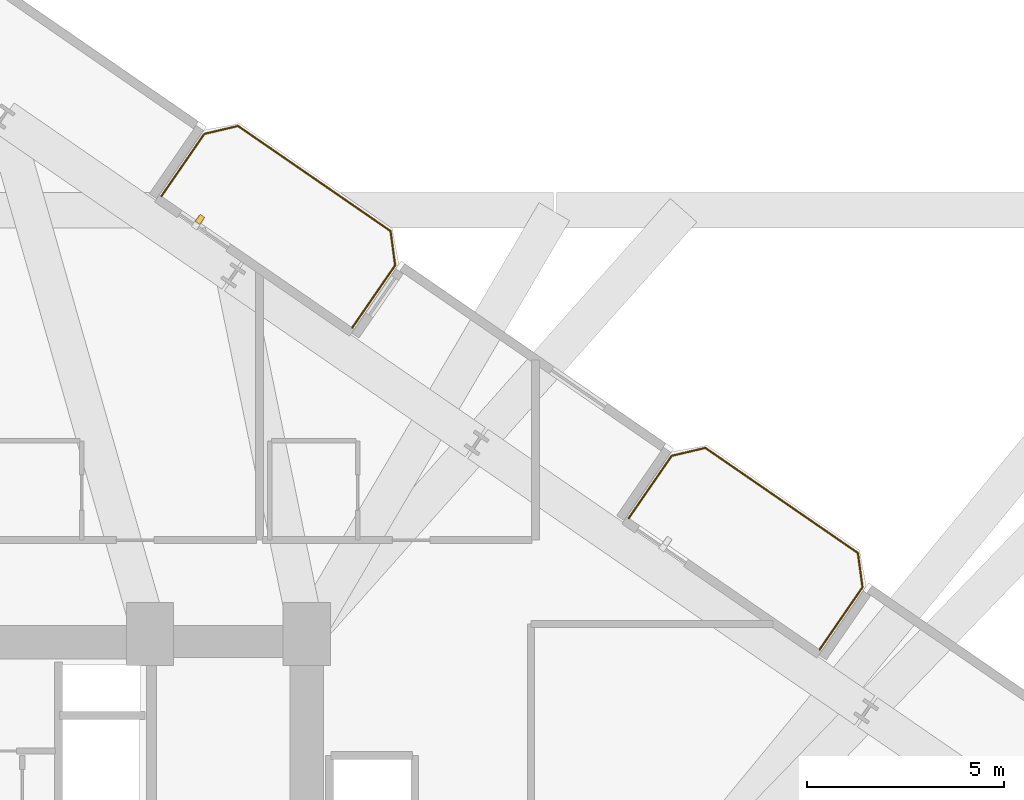
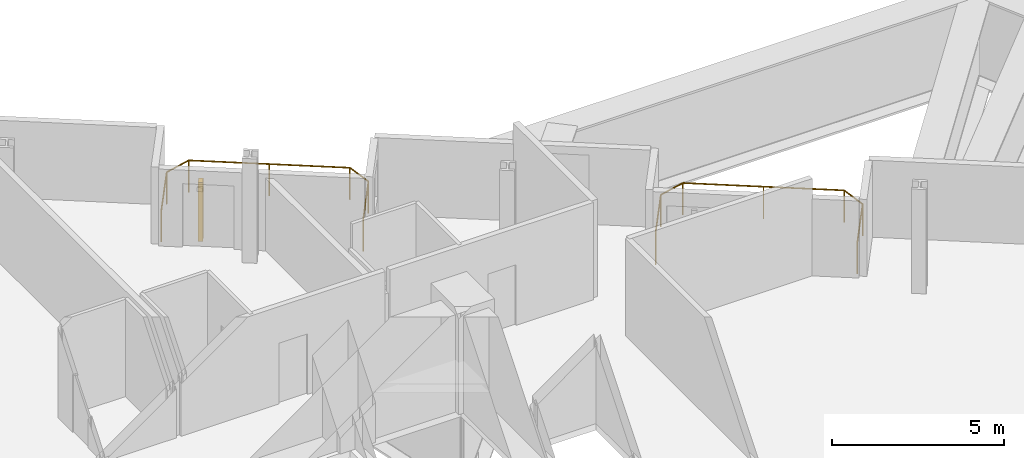
# One storey, part 26 of 26: 2 railings, 1 shading device.
"""IFC4 building model written with IfcOpenShell, lengths in metres."""

from ifc_helpers import new_model, si_unit, direction, frame, origin, origin_2d, place, context, subcontext, project, spatial, rectangle, circle, extrude, source, transform, mapped, material, type_object, element, save


model = new_model("IFC4")

# Units and contexts
model_context = context("Model", 3, precision=1e-05, world=origin(), true_north=direction((0.0, 1.0)))
body_context = subcontext(model_context, "Body", "Model", "MODEL_VIEW")
ifc_project = project(units=[si_unit("LENGTHUNIT", "METRE"), si_unit("AREAUNIT", "SQUARE_METRE"), si_unit("VOLUMEUNIT", "CUBIC_METRE"), si_unit("PLANEANGLEUNIT", "RADIAN"), si_unit("MASSUNIT", "GRAM", prefix="KILO")], contexts=[model_context])

# Site, building, storey
site_placement = place(None, origin())
site = spatial("IfcSite", under=ifc_project, at=site_placement, CompositionType="ELEMENT")
building_placement = place(site_placement, origin())
building = spatial("IfcBuilding", under=site, at=building_placement, Name="Varnelok Gate Tower", CompositionType="ELEMENT")
storey_placement = place(building_placement, frame((0.0, 0.0, 27.0)))
storey = spatial("IfcBuildingStorey", under=building, at=storey_placement, Name="L05", CompositionType="ELEMENT", Elevation=27.0)

# Railings
ifc_material_1 = material(Name="Low-E Laminated Double Glazing IGU", Category="glass")
railing_type = type_object("IfcRailingType", Name="RL-BALC-1150", PredefinedType="BALUSTRADE", material=ifc_material_1)
railing_1_placement = place(storey_placement, frame((44.010009765625, 50.158203125, 0.0)))
element("IfcRailing", 1, at=railing_1_placement, inside=storey, type_object=railing_type, Name="L05 North Terrace Balustrade 3", PredefinedType="BALUSTRADE", context=body_context, shape_type="SweptSolid", body=[
    extrude(circle(Radius=0.02392578125, at=origin_2d()), frame((0.0, 0.0, 1.1259765625), z_axis=(0.567284155424, 0.82352212296, 0.0), x_axis=(-0.82352212296, 0.567284155424, 0.0)), (0.0, 0.0, 1.0), 1.919921875),
    extrude(circle(Radius=0.02392578125, at=origin_2d()), frame((1.089111328125, 1.5810546875, 1.1259765625), z_axis=(0.973526462254, 0.228574336467, 0.0), x_axis=(-0.228574336467, 0.973526462254, 0.0)), (0.0, 0.0, 1.0), 0.8779296875),
    extrude(circle(Radius=0.02392578125, at=origin_2d()), frame((1.94384765625, 1.78173828125, 1.1259765625), z_axis=(0.823523239622, -0.567282534371, 0.0), x_axis=(0.567282534371, 0.823523239622, 0.0)), (0.0, 0.0, 1.0), 4.699951171875),
    extrude(circle(Radius=0.02392578125, at=origin_2d()), frame((5.814453125, -0.884521484375, 1.1259765625), z_axis=(0.133238627421, -0.991083986433, 0.0), x_axis=(0.991083986433, 0.133238627421, 0.0)), (0.0, 0.0, 1.0), 0.877685546875),
    extrude(circle(Radius=0.02392578125, at=origin_2d()), frame((5.931396484375, -1.75439453125, 1.1259765625), z_axis=(-0.567224752248, -0.823563039747, 0.0), x_axis=(0.823563039747, -0.567224752248, 0.0)), (0.0, 0.0, 1.0), 1.920166015625),
    extrude(circle(Radius=0.02099609375, at=origin_2d()), origin(), (0.0, 0.0, 1.0), 1.101806640625),
    extrude(circle(Radius=0.02099609375, at=origin_2d()), frame((1.089111328125, 1.5810546875, 0.0)), (0.0, 0.0, 1.0), 1.101806640625),
    extrude(circle(Radius=0.02099609375, at=origin_2d()), frame((1.94384765625, 1.78173828125, 0.0)), (0.0, 0.0, 1.0), 1.101806640625),
    extrude(circle(Radius=0.02099609375, at=origin_2d()), frame((3.879150390625, 0.44873046875, 0.0)), (0.0, 0.0, 1.0), 1.101806640625),
    extrude(circle(Radius=0.02099609375, at=origin_2d()), frame((5.814453125, -0.884521484375, 0.0)), (0.0, 0.0, 1.0), 1.101806640625),
    extrude(circle(Radius=0.02099609375, at=origin_2d()), frame((5.931396484375, -1.75439453125, 0.0)), (0.0, 0.0, 1.0), 1.101806640625),
    extrude(circle(Radius=0.02099609375, at=origin_2d()), frame((4.84228515625, -3.335693359375, 0.0)), (0.0, 0.0, 1.0), 1.101806640625),
])
railing_2_placement = place(storey_placement, frame((55.868896484375, 41.989501953125, 0.0)))
element("IfcRailing", 2, at=railing_2_placement, inside=storey, type_object=railing_type, Name="L05 North Terrace Balustrade 4", PredefinedType="BALUSTRADE", context=body_context, shape_type="SweptSolid", body=[
    extrude(circle(Radius=0.02392578125, at=origin_2d()), frame((0.0, 0.0, 1.1259765625), z_axis=(0.567284155424, 0.82352212296, 0.0), x_axis=(-0.82352212296, 0.567284155424, 0.0)), (0.0, 0.0, 1.0), 1.919921875),
    extrude(circle(Radius=0.02392578125, at=origin_2d()), frame((1.089111328125, 1.5810546875, 1.1259765625), z_axis=(0.973526462254, 0.228574336467, 0.0), x_axis=(-0.228574336467, 0.973526462254, 0.0)), (0.0, 0.0, 1.0), 0.8779296875),
    extrude(circle(Radius=0.02392578125, at=origin_2d()), frame((1.94384765625, 1.78173828125, 1.1259765625), z_axis=(0.823523239622, -0.567282534371, 0.0), x_axis=(0.567282534371, 0.823523239622, 0.0)), (0.0, 0.0, 1.0), 4.699951171875),
    extrude(circle(Radius=0.02392578125, at=origin_2d()), frame((5.814453125, -0.884521484375, 1.1259765625), z_axis=(0.133238627421, -0.991083986433, 0.0), x_axis=(0.991083986433, 0.133238627421, 0.0)), (0.0, 0.0, 1.0), 0.877685546875),
    extrude(circle(Radius=0.02392578125, at=origin_2d()), frame((5.931396484375, -1.75439453125, 1.1259765625), z_axis=(-0.567224752248, -0.823563039747, 0.0), x_axis=(0.823563039747, -0.567224752248, 0.0)), (0.0, 0.0, 1.0), 1.920166015625),
    extrude(circle(Radius=0.02099609375, at=origin_2d()), origin(), (0.0, 0.0, 1.0), 1.101806640625),
    extrude(circle(Radius=0.02099609375, at=origin_2d()), frame((1.089111328125, 1.5810546875, 0.0)), (0.0, 0.0, 1.0), 1.101806640625),
    extrude(circle(Radius=0.02099609375, at=origin_2d()), frame((1.94384765625, 1.78173828125, 0.0)), (0.0, 0.0, 1.0), 1.101806640625),
    extrude(circle(Radius=0.02099609375, at=origin_2d()), frame((3.879150390625, 0.44873046875, 0.0)), (0.0, 0.0, 1.0), 1.101806640625),
    extrude(circle(Radius=0.02099609375, at=origin_2d()), frame((5.814453125, -0.884521484375, 0.0)), (0.0, 0.0, 1.0), 1.101806640625),
    extrude(circle(Radius=0.02099609375, at=origin_2d()), frame((5.931396484375, -1.75439453125, 0.0)), (0.0, 0.0, 1.0), 1.101806640625),
    extrude(circle(Radius=0.02099609375, at=origin_2d()), frame((4.84228515625, -3.335693359375, 0.0)), (0.0, 0.0, 1.0), 1.101806640625),
])

# Shading device
ifc_material_2 = material(Name="Glazed Architectural Terracotta Ceramic", Category="masonry")
shading_device_type = type_object("IfcShadingDeviceType", Name="SHD-TERRA-FIN", PredefinedType="USERDEFINED", material=ifc_material_2)
shared_shape = source(origin(), body_context, "Body", "SweptSolid", [
    extrude(rectangle(XDim=0.139892578125, YDim=0.219970703125, at=origin_2d()), origin(), (0.0, 0.0, 1.0), 2.10009765625),
])
shading_device_placement = place(storey_placement, frame((44.988525390625, 49.569091796875, 0.099853515625), z_axis=(0.0, 0.0, 1.0), x_axis=(0.823532597628, -0.567268949127, 0.0)))
element("IfcShadingDevice", 3, at=shading_device_placement, inside=storey, type_object=shading_device_type, Name="L05 Terracotta Ceramic Baguette Sunscreen 3.1", ObjectType="BAGUETTE", PredefinedType="USERDEFINED", context=body_context, shape_type="MappedRepresentation", body=[
    mapped(shared_shape, transform((0.0, 0.0, 0.0), scale=1.0)),
])

save(model, "model.ifc")
